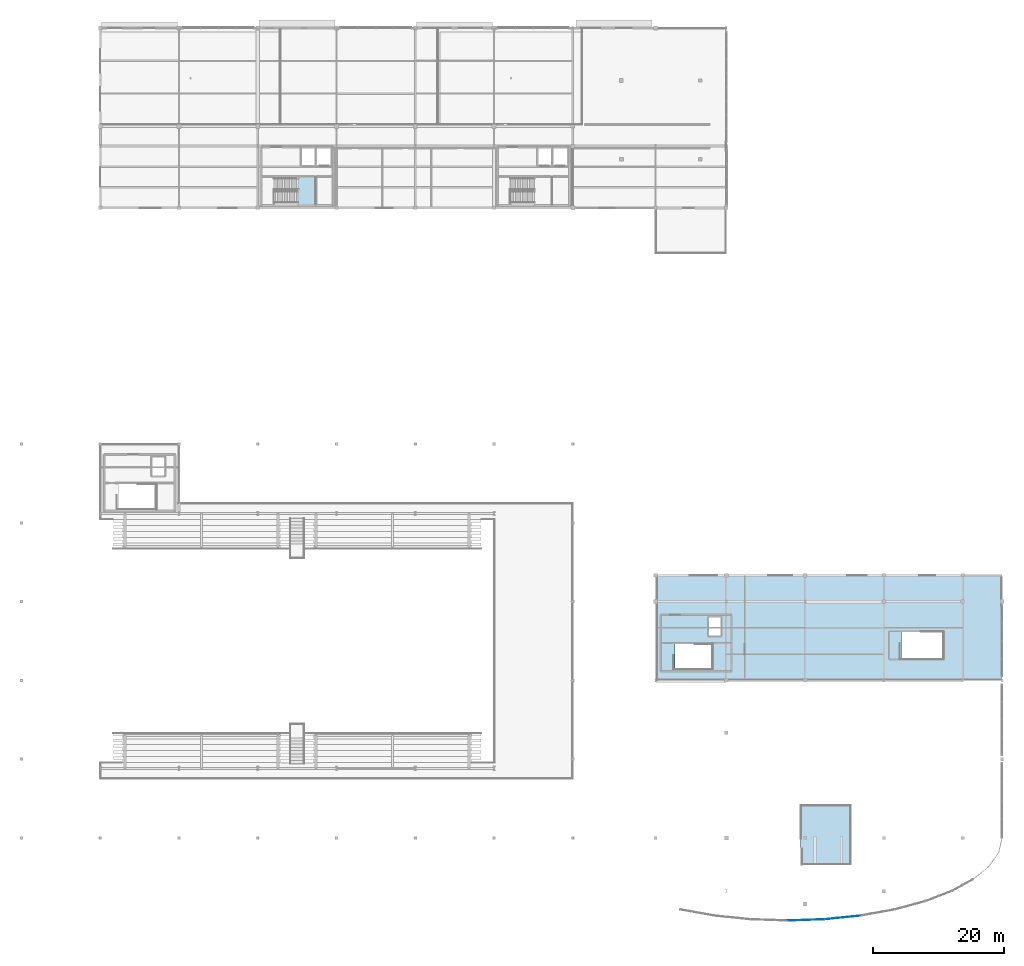
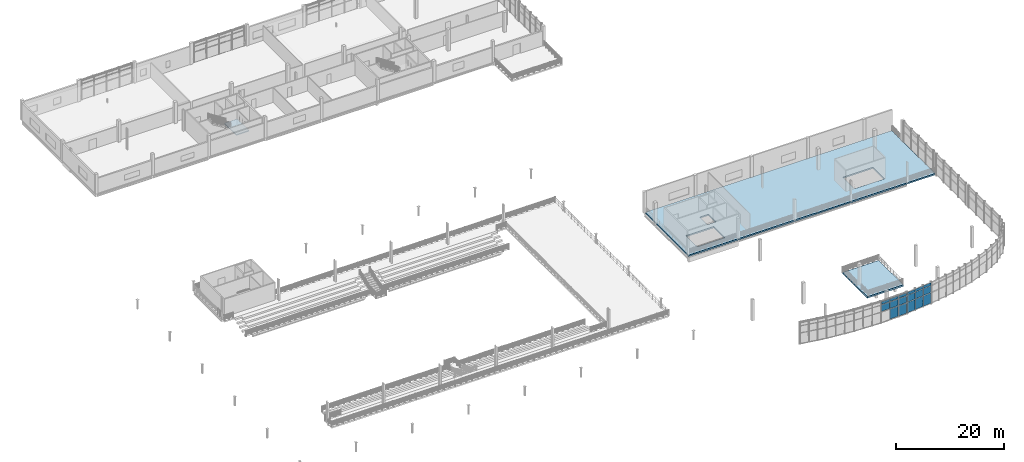
# One storey, part 30 of 52: 17 plates, 3 slabs, 3 elements without a shape of their own.
"""IFC4 building model written with IfcOpenShell, lengths in metres."""

from ifc_helpers import new_model, si_unit, direction, frame, origin, origin_2d, place, context, subcontext, project, spatial, polyline, rectangle, outline, extrude, material, layer, layer_set, type_object, element, aggregate, save


model = new_model("IFC4")

# Units and contexts
model_context = context("Model", 3, precision=1e-05, world=origin(), true_north=direction((0.0, 1.0)))
body_context = subcontext(model_context, "Body", "Model", "MODEL_VIEW")
ifc_project = project(units=[si_unit("LENGTHUNIT", "METRE"), si_unit("AREAUNIT", "SQUARE_METRE"), si_unit("VOLUMEUNIT", "CUBIC_METRE"), si_unit("PLANEANGLEUNIT", "RADIAN"), si_unit("MASSUNIT", "GRAM", prefix="KILO"), si_unit("THERMODYNAMICTEMPERATUREUNIT", "KELVIN"), si_unit("POWERUNIT", "WATT")], contexts=[model_context])

# Site, building, storey
site_placement = place(None, origin())
site = spatial("IfcSite", under=ifc_project, at=site_placement, CompositionType="ELEMENT")
building_placement = place(site_placement, origin())
building = spatial("IfcBuilding", under=site, at=building_placement, Name="Solmara Park Aquatics Centre", CompositionType="ELEMENT")
storey_placement = place(building_placement, frame((0.0, 0.0, 9.60009765625)))
storey = spatial("IfcBuildingStorey", under=building, at=storey_placement, Name="L02", CompositionType="ELEMENT", Elevation=9.60009765625)

# Curtain wall, plates
ifc_material_1 = material(Name="Anodised Aluminium Curtain Wall Framing", Category="aluminium")
curtain_wall_type = type_object("IfcCurtainWallType", Name="ARC-CW-SYS03", PredefinedType="USERDEFINED", material=ifc_material_1)
curtain_wall_1_placement = place(storey_placement, origin())
curtain_wall_1 = element("IfcCurtainWall", 1, at=curtain_wall_1_placement, inside=storey, type_object=curtain_wall_type, Name="Curtain Wall CW-051", ObjectType="CURTAIN WALL", PredefinedType="USERDEFINED")
ifc_material_2 = material(Name="Acoustic Laminated Glazing", Category="glass")
ifc_layer_1 = layer(ifc_material_2, 0.028076171875, Name="Acoustic Laminated Glazing")
ifc_layer_set_1 = layer_set([ifc_layer_1], Name="Acoustic Laminated Glazing")
plate_type_1 = type_object("IfcPlateType", Name="ARC-CWP-GLZ28-1740x1520", PredefinedType="CURTAIN_PANEL", material=ifc_layer_set_1)
plate_1_placement = place(storey_placement, frame((135.902587890625, 0.286865234375, 2.489990234375), z_axis=(0.0, 0.0, 1.0), x_axis=(0.994711425154, 0.102709204398, 0.0)))
plate_1 = element("IfcPlate", 2, at=plate_1_placement, type_object=plate_type_1, Name="CW-051 panel 2", PredefinedType="CURTAIN_PANEL", context=body_context, shape_type="SweptSolid", body=[
    extrude(rectangle(XDim=1.73828125, YDim=0.028076171875, at=origin_2d()), origin(), (0.0, 0.0, 1.0), 1.52001953125),
])
plate_2_placement = place(storey_placement, frame((137.711181640625, 0.4736328125, 2.489990234375), z_axis=(0.0, 0.0, 1.0), x_axis=(0.994711425154, 0.102709204398, 0.0)))
plate_2 = element("IfcPlate", 3, at=plate_2_placement, type_object=plate_type_1, Name="CW-051 panel 5", PredefinedType="CURTAIN_PANEL", context=body_context, shape_type="SweptSolid", body=[
    extrude(rectangle(XDim=1.73828125, YDim=0.028076171875, at=origin_2d()), origin(), (0.0, 0.0, 1.0), 1.52001953125),
])
plate_3_placement = place(storey_placement, frame((139.52001953125, 0.660400390625, 2.489990234375), z_axis=(0.0, 0.0, 1.0), x_axis=(0.994711425154, 0.102709204398, 0.0)))
plate_3 = element("IfcPlate", 4, at=plate_3_placement, type_object=plate_type_1, Name="CW-051 panel 8", PredefinedType="CURTAIN_PANEL", context=body_context, shape_type="SweptSolid", body=[
    extrude(rectangle(XDim=1.73828125, YDim=0.028076171875, at=origin_2d()), origin(), (0.0, 0.0, 1.0), 1.52001953125),
])
ifc_layer_2 = layer(ifc_material_2, 0.028076171875, Name="Acoustic Laminated Glazing")
ifc_layer_set_2 = layer_set([ifc_layer_2], Name="Acoustic Laminated Glazing")
plate_type_2 = type_object("IfcPlateType", Name="ARC-CWP-GLZ28-1740x2320", PredefinedType="CURTAIN_PANEL", material=ifc_layer_set_2)
plate_4_placement = place(storey_placement, frame((135.902587890625, 0.286865234375, 0.079833984375), z_axis=(0.0, 0.0, 1.0), x_axis=(0.994711425154, 0.102709204398, 0.0)))
plate_4 = element("IfcPlate", 5, at=plate_4_placement, type_object=plate_type_2, Name="CW-051 panel 1", PredefinedType="CURTAIN_PANEL", context=body_context, shape_type="SweptSolid", body=[
    extrude(rectangle(XDim=1.73828125, YDim=0.028076171875, at=origin_2d()), origin(), (0.0, 0.0, 1.0), 2.330078125),
])
plate_5_placement = place(storey_placement, frame((137.711181640625, 0.4736328125, 0.079833984375), z_axis=(0.0, 0.0, 1.0), x_axis=(0.994711425154, 0.102709204398, 0.0)))
plate_5 = element("IfcPlate", 6, at=plate_5_placement, type_object=plate_type_2, Name="CW-051 panel 4", PredefinedType="CURTAIN_PANEL", context=body_context, shape_type="SweptSolid", body=[
    extrude(rectangle(XDim=1.73828125, YDim=0.028076171875, at=origin_2d()), origin(), (0.0, 0.0, 1.0), 2.330078125),
])
plate_6_placement = place(storey_placement, frame((139.52001953125, 0.660400390625, 0.079833984375), z_axis=(0.0, 0.0, 1.0), x_axis=(0.994711425154, 0.102709204398, 0.0)))
plate_6 = element("IfcPlate", 7, at=plate_6_placement, type_object=plate_type_2, Name="CW-051 panel 7", PredefinedType="CURTAIN_PANEL", context=body_context, shape_type="SweptSolid", body=[
    extrude(rectangle(XDim=1.73828125, YDim=0.028076171875, at=origin_2d()), origin(), (0.0, 0.0, 1.0), 2.330078125),
])

curtain_wall_2_placement = place(storey_placement, origin())
curtain_wall_2 = element("IfcCurtainWall", 8, at=curtain_wall_2_placement, inside=storey, type_object=curtain_wall_type, Name="Curtain Wall CW-048", ObjectType="CURTAIN WALL", PredefinedType="USERDEFINED")
ifc_layer_3 = layer(ifc_material_2, 0.028076171875, Name="Acoustic Laminated Glazing")
ifc_layer_set_3 = layer_set([ifc_layer_3], Name="Acoustic Laminated Glazing")
plate_type_3 = type_object("IfcPlateType", Name="ARC-CWP-GLZ28-1780x1520", PredefinedType="CURTAIN_PANEL", material=ifc_layer_set_3)
plate_7_placement = place(storey_placement, frame((130.253173828125, 0.031982421875, 2.489990234375), z_axis=(0.0, 0.0, 1.0), x_axis=(0.999432366194, 0.033688950762, 0.0)))
plate_7 = element("IfcPlate", 9, at=plate_7_placement, type_object=plate_type_3, Name="CW-048 panel 2", PredefinedType="CURTAIN_PANEL", context=body_context, shape_type="SweptSolid", body=[
    extrude(rectangle(XDim=1.787109375, YDim=0.028076171875, at=origin_2d()), origin(), (0.0, 0.0, 1.0), 1.52001953125),
])
plate_8_placement = place(storey_placement, frame((132.119140625, 0.094970703125, 2.489990234375), z_axis=(0.0, 0.0, 1.0), x_axis=(0.999432366194, 0.033688950762, 0.0)))
plate_8 = element("IfcPlate", 10, at=plate_8_placement, type_object=plate_type_3, Name="CW-048 panel 5", PredefinedType="CURTAIN_PANEL", context=body_context, shape_type="SweptSolid", body=[
    extrude(rectangle(XDim=1.787109375, YDim=0.028076171875, at=origin_2d()), origin(), (0.0, 0.0, 1.0), 1.52001953125),
])
plate_9_placement = place(storey_placement, frame((133.9853515625, 0.157958984375, 2.489990234375), z_axis=(0.0, 0.0, 1.0), x_axis=(0.999432366194, 0.033688950762, 0.0)))
plate_9 = element("IfcPlate", 11, at=plate_9_placement, type_object=plate_type_3, Name="CW-048 panel 8", PredefinedType="CURTAIN_PANEL", context=body_context, shape_type="SweptSolid", body=[
    extrude(rectangle(XDim=1.787109375, YDim=0.028076171875, at=origin_2d()), origin(), (0.0, 0.0, 1.0), 1.52001953125),
])
ifc_layer_4 = layer(ifc_material_2, 0.028076171875, Name="Acoustic Laminated Glazing")
ifc_layer_set_4 = layer_set([ifc_layer_4], Name="Acoustic Laminated Glazing")
plate_type_4 = type_object("IfcPlateType", Name="ARC-CWP-GLZ28-1780x2320", PredefinedType="CURTAIN_PANEL", material=ifc_layer_set_4)
plate_10_placement = place(storey_placement, frame((132.119140625, 0.094970703125, 0.079833984375), z_axis=(0.0, 0.0, 1.0), x_axis=(0.999432366194, 0.033688950762, 0.0)))
plate_10 = element("IfcPlate", 12, at=plate_10_placement, type_object=plate_type_4, Name="CW-048 panel 4", PredefinedType="CURTAIN_PANEL", context=body_context, shape_type="SweptSolid", body=[
    extrude(rectangle(XDim=1.787109375, YDim=0.028076171875, at=origin_2d()), origin(), (0.0, 0.0, 1.0), 2.330078125),
])
plate_11_placement = place(storey_placement, frame((133.9853515625, 0.157958984375, 0.079833984375), z_axis=(0.0, 0.0, 1.0), x_axis=(0.999432366194, 0.033688950762, 0.0)))
plate_11 = element("IfcPlate", 13, at=plate_11_placement, type_object=plate_type_4, Name="CW-048 panel 7", PredefinedType="CURTAIN_PANEL", context=body_context, shape_type="SweptSolid", body=[
    extrude(rectangle(XDim=1.787109375, YDim=0.028076171875, at=origin_2d()), origin(), (0.0, 0.0, 1.0), 2.330078125),
])
ifc_material_3 = material(Name="Golden-Ochre Enamelled Aluminium Fascia Panel", Category="aluminium")
ifc_layer_5 = layer(ifc_material_3, 0.0400390625, Name="Golden-Ochre Enamelled Aluminium Fascia Panel")
ifc_layer_set_5 = layer_set([ifc_layer_5], Name="Golden-Ochre Enamelled Aluminium Fascia Panel")
plate_type_5 = type_object("IfcPlateType", Name="ARC-CWP-OCH40-1780x640", PredefinedType="CURTAIN_PANEL", material=ifc_layer_set_5)
plate_12_placement = place(storey_placement, frame((130.253173828125, 0.031982421875, 4.08984375), z_axis=(0.0, 0.0, 1.0), x_axis=(0.999432366194, 0.033688950762, 0.0)))
plate_12 = element("IfcPlate", 14, at=plate_12_placement, type_object=plate_type_5, Name="CW-048 panel 3", PredefinedType="CURTAIN_PANEL", context=body_context, shape_type="SweptSolid", body=[
    extrude(rectangle(XDim=1.787109375, YDim=0.0400390625, at=origin_2d()), origin(), (0.0, 0.0, 1.0), 0.6298828125),
])
plate_13_placement = place(storey_placement, frame((132.119140625, 0.094970703125, 4.08984375), z_axis=(0.0, 0.0, 1.0), x_axis=(0.999432366194, 0.033688950762, 0.0)))
plate_13 = element("IfcPlate", 15, at=plate_13_placement, type_object=plate_type_5, Name="CW-048 panel 6", PredefinedType="CURTAIN_PANEL", context=body_context, shape_type="SweptSolid", body=[
    extrude(rectangle(XDim=1.787109375, YDim=0.0400390625, at=origin_2d()), origin(), (0.0, 0.0, 1.0), 0.6298828125),
])
plate_14_placement = place(storey_placement, frame((133.9853515625, 0.157958984375, 4.08984375), z_axis=(0.0, 0.0, 1.0), x_axis=(0.999432366194, 0.033688950762, 0.0)))
plate_14 = element("IfcPlate", 16, at=plate_14_placement, type_object=plate_type_5, Name="CW-048 panel 9", PredefinedType="CURTAIN_PANEL", context=body_context, shape_type="SweptSolid", body=[
    extrude(rectangle(XDim=1.787109375, YDim=0.0400390625, at=origin_2d()), origin(), (0.0, 0.0, 1.0), 0.6298828125),
])
aggregate(curtain_wall_2, [plate_7, plate_12, plate_10, plate_8, plate_13, plate_11, plate_9, plate_14])

# Plate
ifc_material_4 = material(Name="Insulated Anodised Aluminium Spandrel Panel", Category="aluminium")
ifc_layer_6 = layer(ifc_material_4, 0.0439453125, Name="Insulated Anodised Aluminium Spandrel Panel")
ifc_layer_set_6 = layer_set([ifc_layer_6], Name="Insulated Anodised Aluminium Spandrel Panel")
plate_type_6 = type_object("IfcPlateType", Name="ARC-CWP-SPN44-1740x640", PredefinedType="CURTAIN_PANEL", material=ifc_layer_set_6)
plate_15_placement = place(storey_placement, frame((135.902587890625, 0.286865234375, 4.08984375), z_axis=(0.0, 0.0, 1.0), x_axis=(0.994711425154, 0.102709204398, 0.0)))
plate_15 = element("IfcPlate", 17, at=plate_15_placement, type_object=plate_type_6, Name="CW-051 panel 3", PredefinedType="CURTAIN_PANEL", context=body_context, shape_type="SweptSolid", body=[
    extrude(rectangle(XDim=1.73828125, YDim=0.0439453125, at=origin_2d()), origin(), (0.0, 0.0, 1.0), 0.6298828125),
])

plate_16_placement = place(storey_placement, frame((137.711181640625, 0.4736328125, 4.08984375), z_axis=(0.0, 0.0, 1.0), x_axis=(0.994711425154, 0.102709204398, 0.0)))
plate_16 = element("IfcPlate", 18, at=plate_16_placement, type_object=plate_type_6, Name="CW-051 panel 6", PredefinedType="CURTAIN_PANEL", context=body_context, shape_type="SweptSolid", body=[
    extrude(rectangle(XDim=1.73828125, YDim=0.0439453125, at=origin_2d()), origin(), (0.0, 0.0, 1.0), 0.6298828125),
])

plate_17_placement = place(storey_placement, frame((139.52001953125, 0.660400390625, 4.08984375), z_axis=(0.0, 0.0, 1.0), x_axis=(0.994711425154, 0.102709204398, 0.0)))
plate_17 = element("IfcPlate", 19, at=plate_17_placement, type_object=plate_type_6, Name="CW-051 panel 9", PredefinedType="CURTAIN_PANEL", context=body_context, shape_type="SweptSolid", body=[
    extrude(rectangle(XDim=1.73828125, YDim=0.0439453125, at=origin_2d()), origin(), (0.0, 0.0, 1.0), 0.6298828125),
])

aggregate(curtain_wall_1, [plate_4, plate_1, plate_15, plate_5, plate_2, plate_16, plate_6, plate_3, plate_17])

# Stair, slab
ifc_material_5 = material(Name="Concrete C40/50", Category="concrete")
stair_type = type_object("IfcStairType", Name="ARC-ST-CORE", PredefinedType="HALF_TURN_STAIR", material=ifc_material_5)
stair_placement = place(storey_placement, origin())
stair = element("IfcStair", 20, at=stair_placement, inside=storey, type_object=stair_type, Name="ST-01 Protected Exit Stair (L02 to L03)", PredefinedType="HALF_TURN_STAIR")
ifc_layer_7 = layer(ifc_material_5, 0.219970703125, Name="Concrete C40/50")
ifc_layer_set_7 = layer_set([ifc_layer_7], Name="Concrete C40/50")
slab_type_1 = type_object("IfcSlabType", Name="ARC-SLB-LND220", PredefinedType="LANDING", material=ifc_layer_set_7)
slab_1_placement = place(storey_placement, frame((0.0, 0.0, 2.179931640625)))
slab_1 = element("IfcSlab", 21, at=slab_1_placement, type_object=slab_type_1, Name="ST-01 landing 1", PredefinedType="LANDING", context=body_context, shape_type="SweptSolid", body=[
    extrude(outline(polyline([(54.719970703125, 109.030029296875), (57.47998046875, 109.030029296875), (57.47998046875, 113.3701171875), (54.719970703125, 113.3701171875), (54.719970703125, 109.030029296875)])), origin(), (0.0, 0.0, 1.0), 0.219970703125),
])
aggregate(stair, [slab_1])

# Slabs
ifc_layer_8 = layer(ifc_material_5, 0.360107421875, Name="Concrete C40/50")
ifc_layer_set_8 = layer_set([ifc_layer_8], Name="Concrete C40/50")
slab_type_2 = type_object("IfcSlabType", Name="STR-SLB-DIV360", PredefinedType="FLOOR", material=ifc_layer_set_8)
slab_2_placement = place(storey_placement, frame((0.0, 0.0, -0.360107421875)))
element("IfcSlab", 22, at=slab_2_placement, inside=storey, type_object=slab_type_2, Name="Diving Platform SLB-DIV-10M (+9.6m)", PredefinedType="FLOOR", context=body_context, shape_type="SweptSolid", body=[
    extrude(outline(polyline([(131.300048828125, 8.5), (139.0, 8.5), (139.0, 17.60009765625), (131.300048828125, 17.60009765625), (131.300048828125, 8.5)])), origin(), (0.0, 0.0, 1.0), 0.360107421875),
])
ifc_layer_9 = layer(ifc_material_5, 0.320068359375, Name="Concrete C40/50")
ifc_layer_set_9 = layer_set([ifc_layer_9], Name="Concrete C40/50")
slab_type_3 = type_object("IfcSlabType", Name="STR-SLB-GYM320", PredefinedType="FLOOR", material=ifc_layer_set_9)
slab_3_placement = place(storey_placement, frame((0.0, 0.0, -0.320068359375)))
element("IfcSlab", 23, at=slab_3_placement, inside=storey, type_object=slab_type_3, Name="Diving Pavilion L02 Acrobatics & Viewing Slab", PredefinedType="FLOOR", context=body_context, shape_type="SweptSolid", body=[
    extrude(outline(polyline([(109.39990234375, 36.60009765625), (162.0, 36.60009765625), (162.0, 52.60009765625), (109.39990234375, 52.60009765625), (109.39990234375, 36.60009765625)]), holes=[polyline([(112.14990234375, 38.1298828125), (118.050048828125, 38.1298828125), (118.050048828125, 42.27001953125), (112.14990234375, 42.27001953125), (112.14990234375, 38.1298828125)]), polyline([(117.320068359375, 43.39990234375), (119.14990234375, 43.39990234375), (119.14990234375, 46.199951171875), (117.320068359375, 46.199951171875), (117.320068359375, 43.39990234375)]), polyline([(146.679931640625, 39.800048828125), (153.06005859375, 39.800048828125), (153.06005859375, 44.10009765625), (146.679931640625, 44.10009765625), (146.679931640625, 39.800048828125)])]), origin(), (0.0, 0.0, 1.0), 0.320068359375),
])

save(model, "model.ifc")
